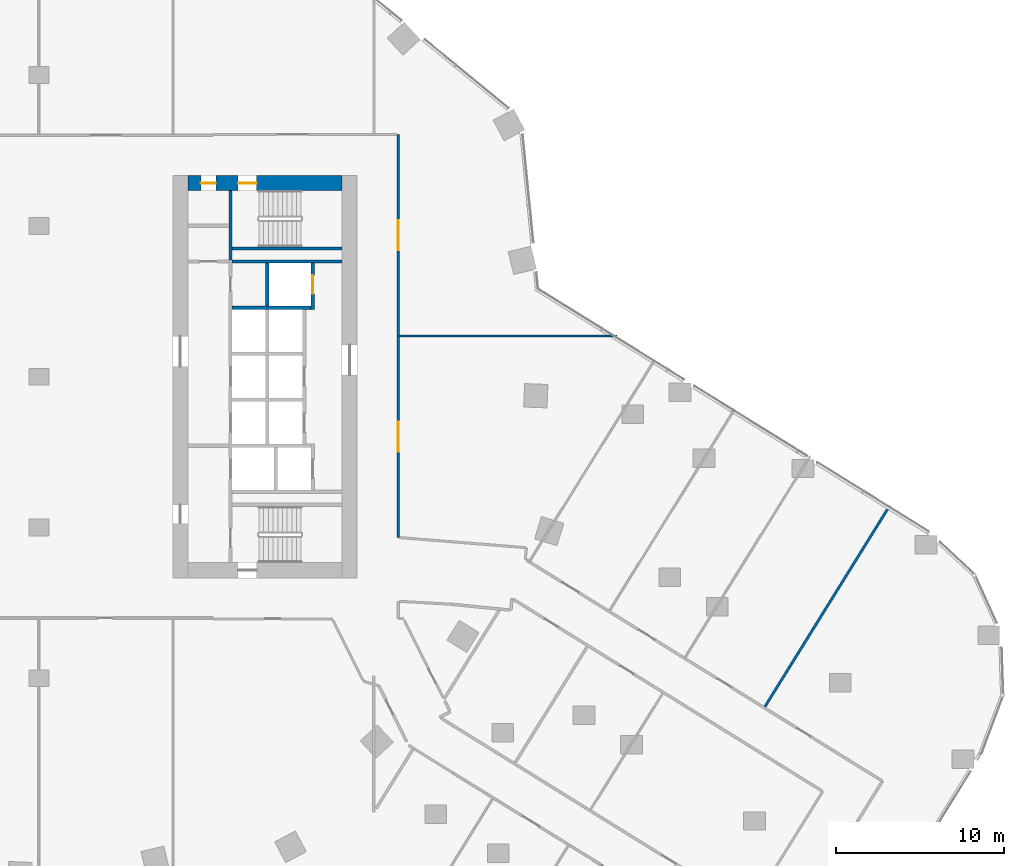
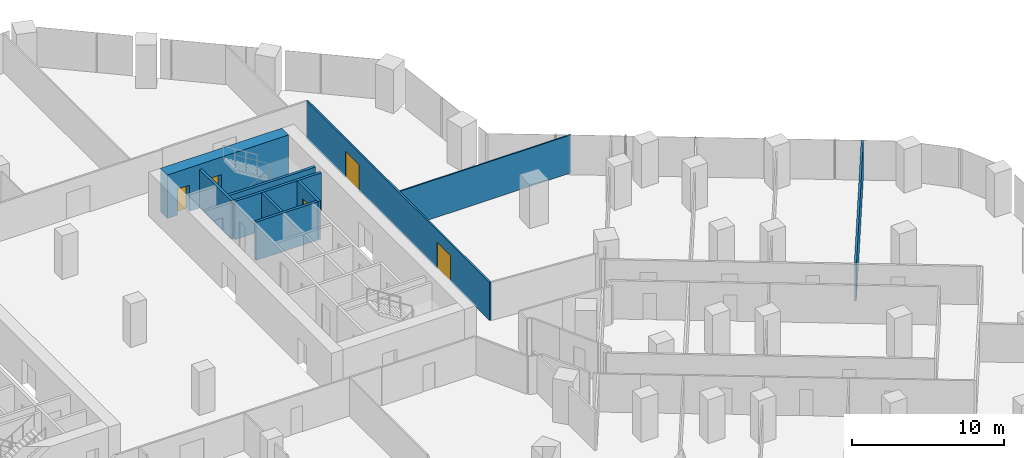
# One storey, part 32 of 34: 10 walls, 5 doors, 5 openings.
"""IFC4 building model written with IfcOpenShell, lengths in metres."""

from ifc_helpers import new_model, si_unit, direction, frame, frame_2d, origin, place, context, subcontext, project, spatial, rectangle, extrude, material, layer, layer_set, type_object, element, fill, save


model = new_model("IFC4")

# Units and contexts
model_context = context("Model", 3, precision=1e-05, world=origin(), true_north=direction((0.0, 1.0)))
body_context = subcontext(model_context, "Body", "Model", "MODEL_VIEW")
ifc_project = project(units=[si_unit("LENGTHUNIT", "METRE"), si_unit("AREAUNIT", "SQUARE_METRE"), si_unit("VOLUMEUNIT", "CUBIC_METRE"), si_unit("PLANEANGLEUNIT", "RADIAN"), si_unit("MASSUNIT", "GRAM", prefix="KILO")], contexts=[model_context])

# Site, building, storey
site_placement = place(None, origin())
site = spatial("IfcSite", under=ifc_project, at=site_placement, CompositionType="ELEMENT")
building_placement = place(site_placement, origin())
building = spatial("IfcBuilding", under=site, at=building_placement, Name="Orlundy Tower", CompositionType="ELEMENT")
storey_placement = place(building_placement, frame((0.0, 0.0, 47.800048828125)))
storey = spatial("IfcBuildingStorey", under=building, at=storey_placement, Name="L10", CompositionType="ELEMENT", Elevation=47.800048828125)

# Wall, openings, doors
ifc_material_1 = material(Name="Concrete C80/95", Category="concrete")
ifc_layer_1 = layer(ifc_material_1, 0.89990234375)
ifc_layer_set_1 = layer_set([ifc_layer_1], Name="CORE WALL 900 C80/95")
wall_type_1 = type_object("IfcWallType", Name="CORE WALL 900 C80/95", PredefinedType="SHEAR", material=ifc_layer_set_1)
wall_1_placement = place(storey_placement, frame((8.89990234375, 11.550048828125, 0.0), z_axis=(0.0, 0.0, 1.0), x_axis=(1.0, 0.0, 0.0)))
wall_1 = element("IfcWall", 1, at=wall_1_placement, inside=storey, type_object=wall_type_1, Name="Core wall E-N L10", PredefinedType="SHEAR", context=body_context, shape_type="SweptSolid", body=[
    extrude(rectangle(XDim=9.2001953125, YDim=0.89990234375, at=frame_2d((4.60009765625, 0.0))), origin(), (0.0, 0.0, 1.0), 3.5),
])
opening_1_placement = place(wall_1_placement, frame((3.0, 0.0, 0.0)))
opening_1 = element("IfcOpeningElement", 2, at=opening_1_placement, cuts=wall_1, Name="Opening 09062", PredefinedType="OPENING", context=body_context, shape_type="SweptSolid", body=[
    extrude(rectangle(XDim=1.10009765625, YDim=2.10009765625, at=frame_2d((0.550048828125, 1.050048828125))), frame((0.0, 0.4599609375, 0.0), z_axis=(0.0, -1.0, 0.0), x_axis=(1.0, 0.0, 0.0)), (0.0, 0.0, 1.0), 0.919921875),
])
opening_2_placement = place(wall_1_placement, frame((0.77001953125, 0.0, 0.0)))
opening_2 = element("IfcOpeningElement", 3, at=opening_2_placement, cuts=wall_1, Name="Opening 09064", PredefinedType="OPENING", context=body_context, shape_type="SweptSolid", body=[
    extrude(rectangle(XDim=0.89990234375, YDim=2.10009765625, at=frame_2d((0.449951171875, 1.050048828125))), frame((0.0, 0.4599609375, 0.0), z_axis=(0.0, -1.0, 0.0), x_axis=(1.0, 0.0, 0.0)), (0.0, 0.0, 1.0), 0.919921875),
])
ifc_material_2 = material(Name="Timber door set", Category="wood")
door_type_1 = type_object("IfcDoorType", Name="Room Door 900x2100", OperationType="SINGLE_SWING_LEFT", PredefinedType="DOOR", material=ifc_material_2)
door_1_placement = place(opening_2_placement, origin())
door_1 = element("IfcDoor", 4, at=door_1_placement, inside=storey, type_object=door_type_1, Name="Store door 09064", OperationType="SINGLE_SWING_LEFT", OverallHeight=2.10009765625, OverallWidth=0.89990234375, PredefinedType="DOOR", context=body_context, shape_type="SweptSolid", body=[
    extrude(rectangle(XDim=0.89990234375, YDim=2.10009765625, at=frame_2d((0.449951171875, 1.050048828125))), frame((0.0, 0.02490234375, 0.0), z_axis=(0.0, -1.0, 0.0), x_axis=(1.0, 0.0, 0.0)), (0.0, 0.0, 1.0), 0.050048828125),
])
fill(opening_2, door_1)
ifc_material_3 = material(Name="Steel door set", Category="steel")
door_type_2 = type_object("IfcDoorType", Name="Stair Door 1100x2100", OperationType="SINGLE_SWING_LEFT", PredefinedType="DOOR", material=ifc_material_3)
door_2_placement = place(opening_1_placement, origin())
door_2 = element("IfcDoor", 5, at=door_2_placement, inside=storey, type_object=door_type_2, Name="Stair door 09062", OperationType="SINGLE_SWING_LEFT", OverallHeight=2.10009765625, OverallWidth=1.10009765625, PredefinedType="DOOR", context=body_context, shape_type="SweptSolid", body=[
    extrude(rectangle(XDim=1.10009765625, YDim=2.10009765625, at=frame_2d((0.550048828125, 1.050048828125))), frame((0.0, 0.02490234375, 0.0), z_axis=(0.0, -1.0, 0.0), x_axis=(1.0, 0.0, 0.0)), (0.0, 0.0, 1.0), 0.050048828125),
])
fill(opening_1, door_2)

# Wall
ifc_material_4 = material(Name="Gypsum board partition")
ifc_layer_2 = layer(ifc_material_4, 0.10009765625)
ifc_layer_set_2 = layer_set([ifc_layer_2], Name="Floor partition 100")
wall_type_2 = type_object("IfcWallType", Name="Floor partition 100", PredefinedType="PARTITIONING", material=ifc_layer_set_2)
wall_2_placement = place(storey_placement, frame((21.511962890625, 2.427001953125, 0.0), z_axis=(0.0, 0.0, 1.0), x_axis=(1.0, 0.0, 0.0)))
element("IfcWall", 6, at=wall_2_placement, inside=storey, type_object=wall_type_2, Name="wall-int-L10-039", PredefinedType="PARTITIONING", context=body_context, shape_type="SweptSolid", body=[
    extrude(rectangle(XDim=12.969970703125, YDim=0.10009765625, at=frame_2d((6.48486328125, 0.0))), origin(), (0.0, 0.0, 1.0), 3.06005859375),
])

# Wall, openings, doors
ifc_material_5 = material(Name="Gypsum board partition, double layer")
ifc_layer_3 = layer(ifc_material_5, 0.125)
ifc_layer_set_3 = layer_set([ifc_layer_3], Name="Floor partition 125")
wall_type_3 = type_object("IfcWallType", Name="Floor partition 125", PredefinedType="PARTITIONING", material=ifc_layer_set_3)
wall_3_placement = place(storey_placement, frame((21.449951171875, 14.450927734375, 0.0), z_axis=(0.0, 0.0, 1.0), x_axis=(0.0, -1.0, 0.0)))
wall_3 = element("IfcWall", 7, at=wall_3_placement, inside=storey, type_object=wall_type_3, Name="wall-int-L10-075", PredefinedType="PARTITIONING", context=body_context, shape_type="SweptSolid", body=[
    extrude(rectangle(XDim=24.044921875, YDim=0.125, at=frame_2d((12.0224609375, 0.0))), origin(), (0.0, 0.0, 1.0), 3.06005859375),
])
opening_3_placement = place(wall_3_placement, frame((17.1240234375, 0.0, 0.0)))
opening_3 = element("IfcOpeningElement", 8, at=opening_3_placement, cuts=wall_3, Name="Opening 09129", PredefinedType="OPENING", context=body_context, shape_type="SweptSolid", body=[
    extrude(rectangle(XDim=1.800048828125, YDim=2.10009765625, at=frame_2d((0.89990234375, 1.050048828125))), frame((0.0, 0.072509765625, 0.0), z_axis=(0.0, -1.0, 0.0), x_axis=(1.0, 0.0, 0.0)), (0.0, 0.0, 1.0), 0.14501953125),
])
opening_4_placement = place(wall_3_placement, frame((5.10009765625, 0.0, 0.0)))
opening_4 = element("IfcOpeningElement", 9, at=opening_4_placement, cuts=wall_3, Name="Opening 09130", PredefinedType="OPENING", context=body_context, shape_type="SweptSolid", body=[
    extrude(rectangle(XDim=1.800048828125, YDim=2.10009765625, at=frame_2d((0.89990234375, 1.050048828125))), frame((0.0, 0.072509765625, 0.0), z_axis=(0.0, -1.0, 0.0), x_axis=(1.0, 0.0, 0.0)), (0.0, 0.0, 1.0), 0.14501953125),
])
ifc_material_6 = material(Name="Timber door leaf", Category="wood")
door_type_3 = type_object("IfcDoorType", Name="Floor door double 1800 FD30S", OperationType="NOTDEFINED", PredefinedType="DOOR", material=ifc_material_6)
door_3_placement = place(opening_3_placement, origin())
door_3 = element("IfcDoor", 10, at=door_3_placement, inside=storey, type_object=door_type_3, Name="Door 09129", OperationType="DOUBLE_DOOR_SINGLE_SWING", OverallHeight=2.10009765625, OverallWidth=1.800048828125, PredefinedType="DOOR", context=body_context, shape_type="SweptSolid", body=[
    extrude(rectangle(XDim=1.800048828125, YDim=2.10009765625, at=frame_2d((0.89990234375, 1.050048828125))), frame((0.0, 0.02490234375, 0.0), z_axis=(0.0, -1.0, 0.0), x_axis=(1.0, 0.0, 0.0)), (0.0, 0.0, 1.0), 0.050048828125),
])
fill(opening_3, door_3)
door_4_placement = place(opening_4_placement, origin())
door_4 = element("IfcDoor", 11, at=door_4_placement, inside=storey, type_object=door_type_3, Name="Door 09130", OperationType="DOUBLE_DOOR_SINGLE_SWING", OverallHeight=2.10009765625, OverallWidth=1.800048828125, PredefinedType="DOOR", context=body_context, shape_type="SweptSolid", body=[
    extrude(rectangle(XDim=1.800048828125, YDim=2.10009765625, at=frame_2d((0.89990234375, 1.050048828125))), frame((0.0, 0.02490234375, 0.0), z_axis=(0.0, -1.0, 0.0), x_axis=(1.0, 0.0, 0.0)), (0.0, 0.0, 1.0), 0.050048828125),
])
fill(opening_4, door_4)

# Walls
ifc_material_7 = material(Name="Blockwork shaft wall", Category="masonry")
ifc_layer_4 = layer(ifc_material_7, 0.14990234375)
ifc_layer_set_4 = layer_set([ifc_layer_4], Name="Floor shaft wall 150")
wall_type_4 = type_object("IfcWallType", Name="Floor shaft wall 150", PredefinedType="PARTITIONING", material=ifc_layer_set_4)
wall_4_placement = place(storey_placement, frame((43.3310546875, -19.69091796875, 0.0), z_axis=(0.0, 0.0, 1.0), x_axis=(0.527429557997, 0.849598764919, 0.0)))
element("IfcWall", 12, at=wall_4_placement, inside=storey, type_object=wall_type_4, Name="wall-int-L10-059", PredefinedType="PARTITIONING", context=body_context, shape_type="SweptSolid", body=[
    extrude(rectangle(XDim=14.123046875, YDim=0.14990234375, at=frame_2d((7.0615234375, 0.0))), origin(), (0.0, 0.0, 1.0), 3.06005859375),
])
ifc_material_8 = material(Name="Concrete C40/50", Category="concrete")
ifc_layer_5 = layer(ifc_material_8, 0.199951171875)
ifc_layer_set_5 = layer_set([ifc_layer_5], Name="Load-bearing Shaft Wall 200")
wall_type_5 = type_object("IfcWallType", Name="Load-bearing Shaft Wall 200", PredefinedType="SOLIDWALL", material=ifc_layer_set_5)
wall_5_placement = place(storey_placement, frame((11.43994140625, 11.10009765625, 0.0), z_axis=(0.0, 0.0, 1.0), x_axis=(0.0, -1.0, 0.0)))
element("IfcWall", 13, at=wall_5_placement, inside=storey, type_object=wall_type_5, Name="Shaft wall E09-stair-end-s", PredefinedType="SOLIDWALL", context=body_context, shape_type="SweptSolid", body=[
    extrude(rectangle(XDim=4.125, YDim=0.199951171875, at=frame_2d((2.0625, 0.0))), origin(), (0.0, 0.0, 1.0), 3.079833984375),
])
wall_6_placement = place(storey_placement, frame((11.5400390625, 7.64990234375, 0.0), z_axis=(0.0, 0.0, 1.0), x_axis=(1.0, 0.0, 0.0)))
element("IfcWall", 14, at=wall_6_placement, inside=storey, type_object=wall_type_5, Name="Shaft wall E09-stair-side-s", PredefinedType="SOLIDWALL", context=body_context, shape_type="SweptSolid", body=[
    extrude(rectangle(XDim=6.56005859375, YDim=0.199951171875, at=frame_2d((3.280029296875, 0.0))), origin(), (0.0, 0.0, 1.0), 3.079833984375),
])
ifc_material_9 = material(Name="Fire-rated blockwork shaft wall", Category="masonry")
ifc_layer_6 = layer(ifc_material_9, 0.199951171875)
ifc_layer_set_6 = layer_set([ifc_layer_6], Name="Shaft Wall 200")
wall_type_6 = type_object("IfcWallType", Name="Shaft Wall 200", PredefinedType="SOLIDWALL", material=ifc_layer_set_6)
wall_7_placement = place(storey_placement, frame((11.5400390625, 6.875, 0.0), z_axis=(0.0, 0.0, 1.0), x_axis=(1.0, 0.0, 0.0)))
element("IfcWall", 15, at=wall_7_placement, inside=storey, type_object=wall_type_6, Name="Shaft wall E09-zone-s", PredefinedType="SOLIDWALL", context=body_context, shape_type="SweptSolid", body=[
    extrude(rectangle(XDim=6.56005859375, YDim=0.199951171875, at=frame_2d((3.280029296875, 0.0))), origin(), (0.0, 0.0, 1.0), 3.079833984375),
])
wall_8_placement = place(storey_placement, frame((11.5400390625, 4.125, 0.0), z_axis=(0.0, 0.0, 1.0), x_axis=(1.0, 0.0, 0.0)))
element("IfcWall", 16, at=wall_8_placement, inside=storey, type_object=wall_type_6, Name="Shaft wall E09-cross-4.125", PredefinedType="SOLIDWALL", context=body_context, shape_type="SweptSolid", body=[
    extrude(rectangle(XDim=4.699951171875, YDim=0.199951171875, at=frame_2d((2.35009765625, 0.0))), origin(), (0.0, 0.0, 1.0), 3.079833984375),
])
wall_9_placement = place(storey_placement, frame((13.639892578125, 6.77490234375, 0.0), z_axis=(0.0, 0.0, 1.0), x_axis=(0.0, -1.0, 0.0)))
element("IfcWall", 17, at=wall_9_placement, inside=storey, type_object=wall_type_6, Name="Shaft wall E09-mid-a", PredefinedType="SOLIDWALL", context=body_context, shape_type="SweptSolid", body=[
    extrude(rectangle(XDim=2.5498046875, YDim=0.199951171875, at=frame_2d((1.27490234375, 0.0))), origin(), (0.0, 0.0, 1.0), 3.079833984375),
])

# Wall, opening, door
wall_10_placement = place(storey_placement, frame((16.340087890625, 6.77490234375, 0.0), z_axis=(0.0, 0.0, 1.0), x_axis=(0.0, -1.0, 0.0)))
wall_10 = element("IfcWall", 18, at=wall_10_placement, inside=storey, type_object=wall_type_6, Name="Shaft wall E09-front-o-a", PredefinedType="SOLIDWALL", context=body_context, shape_type="SweptSolid", body=[
    extrude(rectangle(XDim=2.75, YDim=0.199951171875, at=frame_2d((1.375, 0.0))), origin(), (0.0, 0.0, 1.0), 3.079833984375),
])
opening_5_placement = place(wall_10_placement, frame((0.72509765625, 0.0, 0.0)))
opening_5 = element("IfcOpeningElement", 19, at=opening_5_placement, cuts=wall_10, Name="Opening 09050", PredefinedType="OPENING", context=body_context, shape_type="SweptSolid", body=[
    extrude(rectangle(XDim=1.10009765625, YDim=2.10009765625, at=frame_2d((0.550048828125, 1.050048828125))), frame((0.0, 0.110107421875, 0.0), z_axis=(0.0, -1.0, 0.0), x_axis=(1.0, 0.0, 0.0)), (0.0, 0.0, 1.0), 0.22021484375),
])
ifc_material_10 = material(Name="Steel door set", Category="steel")
door_type_4 = type_object("IfcDoorType", Name="Landing Door 1100x2100", OperationType="DOUBLE_DOOR_SLIDING", PredefinedType="DOOR", material=ifc_material_10)
door_5_placement = place(opening_5_placement, origin())
door_5 = element("IfcDoor", 20, at=door_5_placement, inside=storey, type_object=door_type_4, Name="Lift landing door LV-02 09050", OperationType="DOUBLE_DOOR_SLIDING", OverallHeight=2.10009765625, OverallWidth=1.10009765625, PredefinedType="DOOR", context=body_context, shape_type="SweptSolid", body=[
    extrude(rectangle(XDim=1.10009765625, YDim=2.10009765625, at=frame_2d((0.550048828125, 1.050048828125))), frame((0.0, 0.02490234375, 0.0), z_axis=(0.0, -1.0, 0.0), x_axis=(1.0, 0.0, 0.0)), (0.0, 0.0, 1.0), 0.050048828125),
])
fill(opening_5, door_5)

save(model, "model.ifc")
